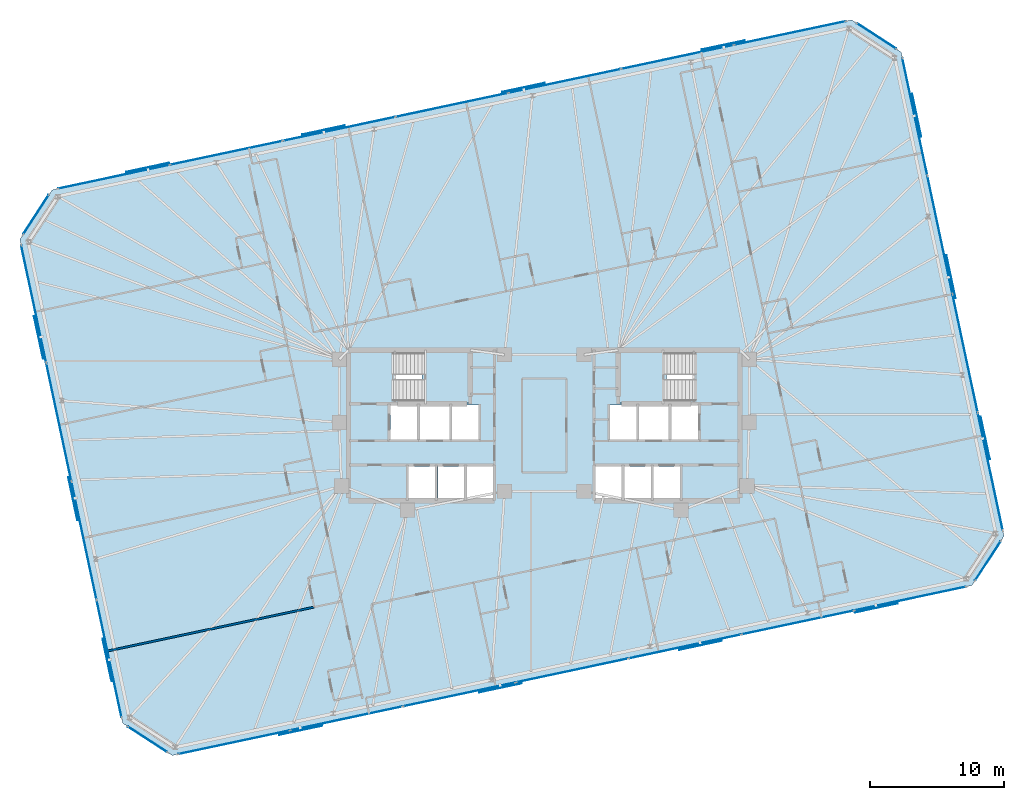
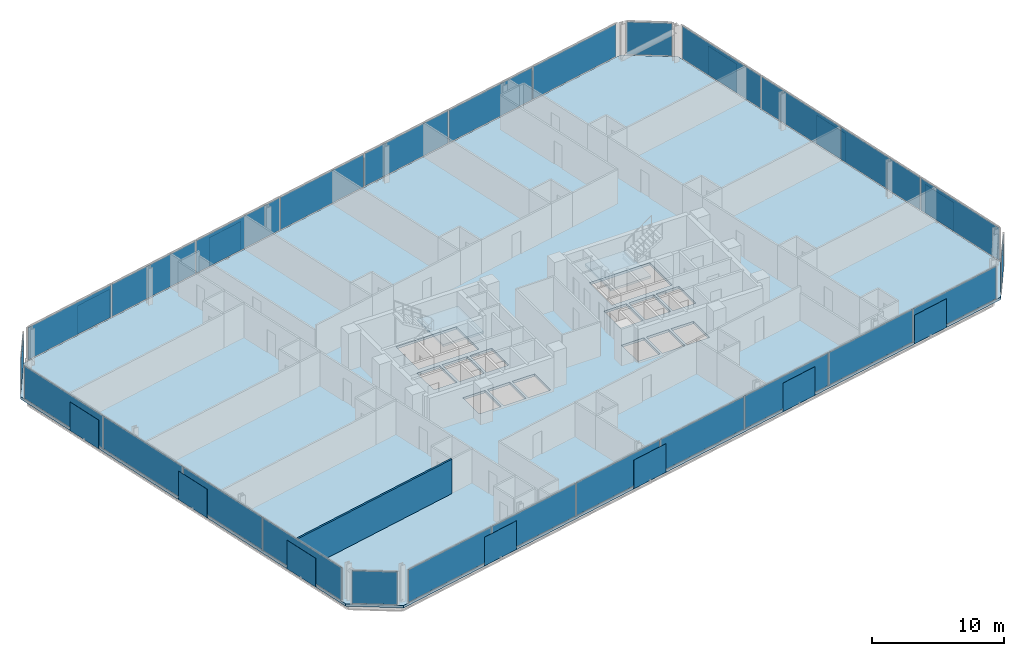
# One storey, part 13 of 19: 40 plates, 3 slabs, 1 wall, 10 elements without a shape of their own.
"""IFC4 building model written with IfcOpenShell, lengths in metres."""

from ifc_helpers import new_model, si_unit, direction, frame, frame_2d, origin, origin_2d, place, context, subcontext, project, spatial, polyline, rectangle, outline, extrude, material, layer, layer_set, type_object, element, aggregate, save


model = new_model("IFC4")

# Units and contexts
model_context = context("Model", 3, precision=1e-05, world=origin(), true_north=direction((0.0, 1.0)))
body_context = subcontext(model_context, "Body", "Model", "MODEL_VIEW")
ifc_project = project(units=[si_unit("LENGTHUNIT", "METRE"), si_unit("AREAUNIT", "SQUARE_METRE"), si_unit("VOLUMEUNIT", "CUBIC_METRE"), si_unit("PLANEANGLEUNIT", "RADIAN"), si_unit("MASSUNIT", "GRAM", prefix="KILO")], contexts=[model_context])

# Site, building, storey
site_placement = place(None, origin())
site = spatial("IfcSite", under=ifc_project, at=site_placement, CompositionType="ELEMENT")
building_placement = place(site_placement, origin())
building = spatial("IfcBuilding", under=site, at=building_placement, Name="Menara Jurai Vektor", CompositionType="ELEMENT")
storey_placement = place(building_placement, frame((0.0, 0.0, 161.60009765625)))
storey = spatial("IfcBuildingStorey", under=building, at=storey_placement, Name="L41", CompositionType="ELEMENT", Elevation=161.60009765625)

# Curtain wall, plates
ifc_material_1 = material(Name="Anodised Pale Aluminium & Low-E Double Glazing", Category="aluminium")
curtain_wall_type = type_object("IfcCurtainWallType", Name="CW-BLK3", PredefinedType="NOTDEFINED", material=ifc_material_1)
curtain_wall_1_placement = place(storey_placement, origin())
curtain_wall_1 = element("IfcCurtainWall", 1, at=curtain_wall_1_placement, inside=storey, type_object=curtain_wall_type, Name="Unitised Curtain Wall L41 F01", PredefinedType="NOTDEFINED")
ifc_material_2 = material(Name="Low-E Solar-Control Double Glazed Unit", Category="glass")
ifc_layer_1 = layer(ifc_material_2, 0.031982421875)
ifc_layer_set_1 = layer_set([ifc_layer_1], Name="Low-E Solar-Control Double Glazed Unit")
plate_type_1 = type_object("IfcPlateType", Name="CW-BLK3-PNL", PredefinedType="CURTAIN_PANEL", material=ifc_layer_set_1)
plate_1_placement = place(storey_placement, frame((-23.078369140625, -23.57568359375, 0.0849609375), z_axis=(0.0, 0.0, 1.0), x_axis=(0.978147674419, 0.207911344156, 0.0)))
plate_1 = element("IfcPlate", 2, at=plate_1_placement, type_object=plate_type_1, Name="CW-03 panel 1.1", PredefinedType="CURTAIN_PANEL", context=body_context, shape_type="SweptSolid", body=[
    extrude(rectangle(XDim=8.44970703125, YDim=0.031982421875, at=origin_2d()), origin(), (0.0, 0.0, 1.0), 3.0048828125),
])
plate_2_placement = place(storey_placement, frame((-14.709228515625, -21.796875, 0.0849609375), z_axis=(0.0, 0.0, 1.0), x_axis=(0.978147674419, 0.207911344156, 0.0)))
plate_2 = element("IfcPlate", 3, at=plate_2_placement, type_object=plate_type_1, Name="CW-03 panel 2.1", PredefinedType="CURTAIN_PANEL", context=body_context, shape_type="SweptSolid", body=[
    extrude(rectangle(XDim=8.4921875, YDim=0.031982421875, at=origin_2d()), origin(), (0.0, 0.0, 1.0), 3.0048828125),
])
plate_3_placement = place(storey_placement, frame((-6.319580078125, -20.013427734375, 0.0849609375), z_axis=(0.0, 0.0, 1.0), x_axis=(0.978147674419, 0.207911344156, 0.0)))
plate_3 = element("IfcPlate", 4, at=plate_3_placement, type_object=plate_type_1, Name="CW-03 panel 3.1", PredefinedType="CURTAIN_PANEL", context=body_context, shape_type="SweptSolid", body=[
    extrude(rectangle(XDim=8.4921875, YDim=0.031982421875, at=origin_2d()), origin(), (0.0, 0.0, 1.0), 3.0048828125),
])
plate_4_placement = place(storey_placement, frame((2.070068359375, -18.230224609375, 0.0849609375), z_axis=(0.0, 0.0, 1.0), x_axis=(0.978147674419, 0.207911344156, 0.0)))
plate_4 = element("IfcPlate", 5, at=plate_4_placement, type_object=plate_type_1, Name="CW-03 panel 4.1", PredefinedType="CURTAIN_PANEL", context=body_context, shape_type="SweptSolid", body=[
    extrude(rectangle(XDim=8.4921875, YDim=0.031982421875, at=origin_2d()), origin(), (0.0, 0.0, 1.0), 3.0048828125),
])
plate_5_placement = place(storey_placement, frame((10.459716796875, -16.447021484375, 0.0849609375), z_axis=(0.0, 0.0, 1.0), x_axis=(0.978147674419, 0.207911344156, 0.0)))
plate_5 = element("IfcPlate", 6, at=plate_5_placement, type_object=plate_type_1, Name="CW-03 panel 5.1", PredefinedType="CURTAIN_PANEL", context=body_context, shape_type="SweptSolid", body=[
    extrude(rectangle(XDim=8.4921875, YDim=0.031982421875, at=origin_2d()), origin(), (0.0, 0.0, 1.0), 3.0048828125),
])
plate_6_placement = place(storey_placement, frame((18.849609375, -14.66357421875, 0.0849609375), z_axis=(0.0, 0.0, 1.0), x_axis=(0.978147674419, 0.207911344156, 0.0)))
plate_6 = element("IfcPlate", 7, at=plate_6_placement, type_object=plate_type_1, Name="CW-03 panel 6.1", PredefinedType="CURTAIN_PANEL", context=body_context, shape_type="SweptSolid", body=[
    extrude(rectangle(XDim=8.4921875, YDim=0.031982421875, at=origin_2d()), origin(), (0.0, 0.0, 1.0), 3.0048828125),
])
plate_7_placement = place(storey_placement, frame((27.218505859375, -12.884765625, 0.0849609375), z_axis=(0.0, 0.0, 1.0), x_axis=(0.978147674419, 0.207911344156, 0.0)))
plate_7 = element("IfcPlate", 8, at=plate_7_placement, type_object=plate_type_1, Name="CW-03 panel 7.1", PredefinedType="CURTAIN_PANEL", context=body_context, shape_type="SweptSolid", body=[
    extrude(rectangle(XDim=8.44970703125, YDim=0.031982421875, at=origin_2d()), origin(), (0.0, 0.0, 1.0), 3.0048828125),
])
aggregate(curtain_wall_1, [plate_1, plate_2, plate_3, plate_4, plate_5, plate_6, plate_7])

curtain_wall_2_placement = place(storey_placement, origin())
curtain_wall_2 = element("IfcCurtainWall", 9, at=curtain_wall_2_placement, inside=storey, type_object=curtain_wall_type, Name="Unitised Curtain Wall L41 F03", PredefinedType="NOTDEFINED")
plate_8_placement = place(storey_placement, frame((33.17333984375, -3.433837890625, 0.0849609375), z_axis=(0.0, 0.0, 1.0), x_axis=(-0.20791035839, 0.978147883949, 0.0)))
plate_8 = element("IfcPlate", 10, at=plate_8_placement, type_object=plate_type_1, Name="CW-03 panel 1.1", PredefinedType="CURTAIN_PANEL", context=body_context, shape_type="SweptSolid", body=[
    extrude(rectangle(XDim=8.882568359375, YDim=0.031982421875, at=origin_2d()), origin(), (0.0, 0.0, 1.0), 3.0048828125),
])
plate_9_placement = place(storey_placement, frame((31.3046875, 5.3583984375, 0.0849609375), z_axis=(0.0, 0.0, 1.0), x_axis=(-0.20791035839, 0.978147883949, 0.0)))
plate_9 = element("IfcPlate", 11, at=plate_9_placement, type_object=plate_type_1, Name="CW-03 panel 2.1", PredefinedType="CURTAIN_PANEL", context=body_context, shape_type="SweptSolid", body=[
    extrude(rectangle(XDim=8.925048828125, YDim=0.031982421875, at=origin_2d()), origin(), (0.0, 0.0, 1.0), 3.0048828125),
])
plate_10_placement = place(storey_placement, frame((29.431396484375, 14.171630859375, 0.0849609375), z_axis=(0.0, 0.0, 1.0), x_axis=(-0.20791035839, 0.978147883949, 0.0)))
plate_10 = element("IfcPlate", 12, at=plate_10_placement, type_object=plate_type_1, Name="CW-03 panel 3.1", PredefinedType="CURTAIN_PANEL", context=body_context, shape_type="SweptSolid", body=[
    extrude(rectangle(XDim=8.925048828125, YDim=0.031982421875, at=origin_2d()), origin(), (0.0, 0.0, 1.0), 3.0048828125),
])
plate_11_placement = place(storey_placement, frame((27.5625, 22.9638671875, 0.0849609375), z_axis=(0.0, 0.0, 1.0), x_axis=(-0.20791035839, 0.978147883949, 0.0)))
plate_11 = element("IfcPlate", 13, at=plate_11_placement, type_object=plate_type_1, Name="CW-03 panel 4.1", PredefinedType="CURTAIN_PANEL", context=body_context, shape_type="SweptSolid", body=[
    extrude(rectangle(XDim=8.882568359375, YDim=0.031982421875, at=origin_2d()), origin(), (0.0, 0.0, 1.0), 3.0048828125),
])
aggregate(curtain_wall_2, [plate_8, plate_9, plate_10, plate_11])

curtain_wall_3_placement = place(storey_placement, origin())
curtain_wall_3 = element("IfcCurtainWall", 14, at=curtain_wall_3_placement, inside=storey, type_object=curtain_wall_type, Name="Unitised Curtain Wall L41 F05", PredefinedType="NOTDEFINED")
plate_12_placement = place(storey_placement, frame((18.2783203125, 29.175537109375, 0.0849609375), z_axis=(0.0, 0.0, 1.0), x_axis=(-0.978147674419, -0.207911344156, 0.0)))
plate_12 = element("IfcPlate", 15, at=plate_12_placement, type_object=plate_type_1, Name="CW-03 panel 1.1", PredefinedType="CURTAIN_PANEL", context=body_context, shape_type="SweptSolid", body=[
    extrude(rectangle(XDim=8.44970703125, YDim=0.031982421875, at=origin_2d()), origin(), (0.0, 0.0, 1.0), 3.0048828125),
])
plate_13_placement = place(storey_placement, frame((9.909423828125, 27.396728515625, 0.0849609375), z_axis=(0.0, 0.0, 1.0), x_axis=(-0.978147674419, -0.207911344156, 0.0)))
plate_13 = element("IfcPlate", 16, at=plate_13_placement, type_object=plate_type_1, Name="CW-03 panel 2.1", PredefinedType="CURTAIN_PANEL", context=body_context, shape_type="SweptSolid", body=[
    extrude(rectangle(XDim=8.4921875, YDim=0.031982421875, at=origin_2d()), origin(), (0.0, 0.0, 1.0), 3.0048828125),
])
plate_14_placement = place(storey_placement, frame((1.51953125, 25.613525390625, 0.0849609375), z_axis=(0.0, 0.0, 1.0), x_axis=(-0.978147674419, -0.207911344156, 0.0)))
plate_14 = element("IfcPlate", 17, at=plate_14_placement, type_object=plate_type_1, Name="CW-03 panel 3.1", PredefinedType="CURTAIN_PANEL", context=body_context, shape_type="SweptSolid", body=[
    extrude(rectangle(XDim=8.4921875, YDim=0.031982421875, at=origin_2d()), origin(), (0.0, 0.0, 1.0), 3.0048828125),
])
plate_15_placement = place(storey_placement, frame((-6.8701171875, 23.830078125, 0.0849609375), z_axis=(0.0, 0.0, 1.0), x_axis=(-0.978147674419, -0.207911344156, 0.0)))
plate_15 = element("IfcPlate", 18, at=plate_15_placement, type_object=plate_type_1, Name="CW-03 panel 4.1", PredefinedType="CURTAIN_PANEL", context=body_context, shape_type="SweptSolid", body=[
    extrude(rectangle(XDim=8.4921875, YDim=0.031982421875, at=origin_2d()), origin(), (0.0, 0.0, 1.0), 3.0048828125),
])
plate_16_placement = place(storey_placement, frame((-15.259765625, 22.046875, 0.0849609375), z_axis=(0.0, 0.0, 1.0), x_axis=(-0.978147674419, -0.207911344156, 0.0)))
plate_16 = element("IfcPlate", 19, at=plate_16_placement, type_object=plate_type_1, Name="CW-03 panel 5.1", PredefinedType="CURTAIN_PANEL", context=body_context, shape_type="SweptSolid", body=[
    extrude(rectangle(XDim=8.4921875, YDim=0.031982421875, at=origin_2d()), origin(), (0.0, 0.0, 1.0), 3.0048828125),
])
plate_17_placement = place(storey_placement, frame((-23.6494140625, 20.263671875, 0.0849609375), z_axis=(0.0, 0.0, 1.0), x_axis=(-0.978147674419, -0.207911344156, 0.0)))
plate_17 = element("IfcPlate", 20, at=plate_17_placement, type_object=plate_type_1, Name="CW-03 panel 6.1", PredefinedType="CURTAIN_PANEL", context=body_context, shape_type="SweptSolid", body=[
    extrude(rectangle(XDim=8.4921875, YDim=0.031982421875, at=origin_2d()), origin(), (0.0, 0.0, 1.0), 3.0048828125),
])
plate_18_placement = place(storey_placement, frame((-32.0185546875, 18.48486328125, 0.0849609375), z_axis=(0.0, 0.0, 1.0), x_axis=(-0.978147674419, -0.207911344156, 0.0)))
plate_18 = element("IfcPlate", 21, at=plate_18_placement, type_object=plate_type_1, Name="CW-03 panel 7.1", PredefinedType="CURTAIN_PANEL", context=body_context, shape_type="SweptSolid", body=[
    extrude(rectangle(XDim=8.44970703125, YDim=0.031982421875, at=origin_2d()), origin(), (0.0, 0.0, 1.0), 3.0048828125),
])
aggregate(curtain_wall_3, [plate_12, plate_13, plate_14, plate_15, plate_16, plate_17, plate_18])

curtain_wall_4_placement = place(storey_placement, origin())
curtain_wall_4 = element("IfcCurtainWall", 22, at=curtain_wall_4_placement, inside=storey, type_object=curtain_wall_type, Name="Unitised Curtain Wall L41 F07", PredefinedType="NOTDEFINED")
plate_19_placement = place(storey_placement, frame((-37.973388671875, 9.033935546875, 0.0849609375), z_axis=(0.0, 0.0, 1.0), x_axis=(0.20791035839, -0.978147883949, 0.0)))
plate_19 = element("IfcPlate", 23, at=plate_19_placement, type_object=plate_type_1, Name="CW-03 panel 1.1", PredefinedType="CURTAIN_PANEL", context=body_context, shape_type="SweptSolid", body=[
    extrude(rectangle(XDim=8.882568359375, YDim=0.031982421875, at=origin_2d()), origin(), (0.0, 0.0, 1.0), 3.0048828125),
])
plate_20_placement = place(storey_placement, frame((-36.1044921875, 0.241455078125, 0.0849609375), z_axis=(0.0, 0.0, 1.0), x_axis=(0.20791035839, -0.978147883949, 0.0)))
plate_20 = element("IfcPlate", 24, at=plate_20_placement, type_object=plate_type_1, Name="CW-03 panel 2.1", PredefinedType="CURTAIN_PANEL", context=body_context, shape_type="SweptSolid", body=[
    extrude(rectangle(XDim=8.925048828125, YDim=0.031982421875, at=origin_2d()), origin(), (0.0, 0.0, 1.0), 3.0048828125),
])
plate_21_placement = place(storey_placement, frame((-34.231201171875, -8.571533203125, 0.0849609375), z_axis=(0.0, 0.0, 1.0), x_axis=(0.20791035839, -0.978147883949, 0.0)))
plate_21 = element("IfcPlate", 25, at=plate_21_placement, type_object=plate_type_1, Name="CW-03 panel 3.1", PredefinedType="CURTAIN_PANEL", context=body_context, shape_type="SweptSolid", body=[
    extrude(rectangle(XDim=8.925048828125, YDim=0.031982421875, at=origin_2d()), origin(), (0.0, 0.0, 1.0), 3.0048828125),
])
plate_22_placement = place(storey_placement, frame((-32.362548828125, -17.364013671875, 0.0849609375), z_axis=(0.0, 0.0, 1.0), x_axis=(0.20791035839, -0.978147883949, 0.0)))
plate_22 = element("IfcPlate", 26, at=plate_22_placement, type_object=plate_type_1, Name="CW-03 panel 4.1", PredefinedType="CURTAIN_PANEL", context=body_context, shape_type="SweptSolid", body=[
    extrude(rectangle(XDim=8.882568359375, YDim=0.031982421875, at=origin_2d()), origin(), (0.0, 0.0, 1.0), 3.0048828125),
])
aggregate(curtain_wall_4, [plate_19, plate_20, plate_21, plate_22])

# Curtain wall, plate
curtain_wall_5_placement = place(storey_placement, origin())
curtain_wall_5 = element("IfcCurtainWall", 27, at=curtain_wall_5_placement, inside=storey, type_object=curtain_wall_type, Name="Unitised Curtain Wall L41 F02", PredefinedType="NOTDEFINED")
ifc_material_3 = material(Name="Insulated Pale Aluminium Spandrel Panel", Category="aluminium")
ifc_layer_2 = layer(ifc_material_3, 0.06005859375)
ifc_layer_set_2 = layer_set([ifc_layer_2], Name="Insulated Pale Aluminium Spandrel Panel")
plate_type_2 = type_object("IfcPlateType", Name="CW-PNL-SP", PredefinedType="CURTAIN_PANEL", material=ifc_layer_set_2)
plate_23_placement = place(storey_placement, frame((32.999755859375, -10.0712890625, 0.0849609375), z_axis=(0.0, 0.0, 1.0), x_axis=(0.544617794346, 0.838684361415, 0.0)))
plate_23 = element("IfcPlate", 28, at=plate_23_placement, type_object=plate_type_2, Name="CW-03 panel 1.1", PredefinedType="CURTAIN_PANEL", context=body_context, shape_type="SweptSolid", body=[
    extrude(rectangle(XDim=3.4541015625, YDim=0.06005859375, at=origin_2d()), origin(), (0.0, 0.0, 1.0), 3.0048828125),
])
aggregate(curtain_wall_5, [plate_23])

curtain_wall_6_placement = place(storey_placement, origin())
curtain_wall_6 = element("IfcCurtainWall", 29, at=curtain_wall_6_placement, inside=storey, type_object=curtain_wall_type, Name="Unitised Curtain Wall L41 F04", PredefinedType="NOTDEFINED")
plate_24_placement = place(storey_placement, frame((24.7041015625, 28.956787109375, 0.0849609375), z_axis=(0.0, 0.0, 1.0), x_axis=(-0.838684361415, 0.544617794346, 0.0)))
plate_24 = element("IfcPlate", 30, at=plate_24_placement, type_object=plate_type_2, Name="CW-03 panel 1.1", PredefinedType="CURTAIN_PANEL", context=body_context, shape_type="SweptSolid", body=[
    extrude(rectangle(XDim=3.4541015625, YDim=0.06005859375, at=origin_2d()), origin(), (0.0, 0.0, 1.0), 3.0048828125),
])
aggregate(curtain_wall_6, [plate_24])

curtain_wall_7_placement = place(storey_placement, origin())
curtain_wall_7 = element("IfcCurtainWall", 31, at=curtain_wall_7_placement, inside=storey, type_object=curtain_wall_type, Name="Unitised Curtain Wall L41 F06", PredefinedType="NOTDEFINED")
plate_25_placement = place(storey_placement, frame((-37.799560546875, 15.67138671875, 0.0849609375), z_axis=(0.0, 0.0, 1.0), x_axis=(-0.544617794346, -0.838684361415, 0.0)))
plate_25 = element("IfcPlate", 32, at=plate_25_placement, type_object=plate_type_2, Name="CW-03 panel 1.1", PredefinedType="CURTAIN_PANEL", context=body_context, shape_type="SweptSolid", body=[
    extrude(rectangle(XDim=3.4541015625, YDim=0.06005859375, at=origin_2d()), origin(), (0.0, 0.0, 1.0), 3.0048828125),
])
aggregate(curtain_wall_7, [plate_25])

curtain_wall_8_placement = place(storey_placement, origin())
curtain_wall_8 = element("IfcCurtainWall", 33, at=curtain_wall_8_placement, inside=storey, type_object=curtain_wall_type, Name="Unitised Curtain Wall L41 F08", PredefinedType="NOTDEFINED")
plate_26_placement = place(storey_placement, frame((-29.50390625, -23.35693359375, 0.0849609375), z_axis=(0.0, 0.0, 1.0), x_axis=(0.838684361415, -0.544617794346, 0.0)))
plate_26 = element("IfcPlate", 34, at=plate_26_placement, type_object=plate_type_2, Name="CW-03 panel 1.1", PredefinedType="CURTAIN_PANEL", context=body_context, shape_type="SweptSolid", body=[
    extrude(rectangle(XDim=3.4541015625, YDim=0.06005859375, at=origin_2d()), origin(), (0.0, 0.0, 1.0), 3.0048828125),
])
aggregate(curtain_wall_8, [plate_26])

# Plates
ifc_material_4 = material(Name="Anodised Pale Aluminium Perforated Screen", Category="aluminium")
ifc_layer_3 = layer(ifc_material_4, 0.02294921875)
ifc_layer_set_3 = layer_set([ifc_layer_3], Name="Anodised Pale Aluminium Perforated Screen")
plate_type_3 = type_object("IfcPlateType", Name="ENV-PLT-SCREEN-MID", PredefinedType="USERDEFINED", material=ifc_layer_set_3)
for number, where, z_axis, x_axis, name in (
    (35, (-18.116943359375, -22.6845703125, -0.050048828125), (0.0, 0.0, 1.0), (0.978147600734, 0.207911690818, 0.0), "Perforated Pale-Metal Solar Screen L41-S01"),
    (36, (-3.2490234375, -19.5244140625, -0.050048828125), (0.0, 0.0, 1.0), (0.978147600734, 0.207911690818, 0.0), "Perforated Pale-Metal Solar Screen L41-S02"),
    (37, (11.618896484375, -16.364013671875, -0.050048828125), (0.0, 0.0, 1.0), (0.978147600734, 0.207911690818, 0.0), "Perforated Pale-Metal Solar Screen L41-S03"),
    (38, (24.702392578125, -13.5830078125, -0.050048828125), (0.0, 0.0, 1.0), (0.978147600734, 0.207911690818, 0.0), "Perforated Pale-Metal Solar Screen L41-S04"),
    (39, (32.806884765625, -0.9404296875, -0.050048828125), (0.0, 0.0, 1.0), (-0.207911690818, 0.978147600734, 0.0), "Perforated Pale-Metal Solar Screen L41-S05"),
    (40, (30.256591796875, 11.05810546875, -0.050048828125), (0.0, 0.0, 1.0), (-0.207911690818, 0.978147600734, 0.0), "Perforated Pale-Metal Solar Screen L41-S06"),
    (41, (27.706298828125, 23.056884765625, -0.050048828125), (0.0, 0.0, 1.0), (-0.207911690818, 0.978147600734, 0.0), "Perforated Pale-Metal Solar Screen L41-S07"),
    (42, (13.31689453125, 28.28466796875, -0.050048828125), (0.0, 0.0, 1.0), (-0.978147600734, -0.207911690818, 0.0), "Perforated Pale-Metal Solar Screen L41-S08"),
    (43, (-1.55078125, 25.12451171875, -0.050048828125), (0.0, 0.0, 1.0), (-0.978147600734, -0.207911690818, 0.0), "Perforated Pale-Metal Solar Screen L41-S09"),
    (44, (-16.418701171875, 21.964111328125, -0.050048828125), (0.0, 0.0, 1.0), (-0.978147600734, -0.207911690818, 0.0), "Perforated Pale-Metal Solar Screen L41-S10"),
    (45, (-29.50244140625, 19.18310546875, -0.050048828125), (0.0, 0.0, 1.0), (-0.978147600734, -0.207911690818, 0.0), "Perforated Pale-Metal Solar Screen L41-S11"),
    (46, (-37.60693359375, 6.54052734375, -0.050048828125), (0.0, 0.0, 1.0), (0.207911690818, -0.978147600734, 0.0), "Perforated Pale-Metal Solar Screen L41-S12"),
    (47, (-35.056640625, -5.458251953125, -0.050048828125), (0.0, 0.0, 1.0), (0.207911690818, -0.978147600734, 0.0), "Perforated Pale-Metal Solar Screen L41-S13"),
    (48, (-32.50634765625, -17.456787109375, -0.050048828125), (0.0, 0.0, 1.0), (0.207911690818, -0.978147600734, 0.0), "Perforated Pale-Metal Solar Screen L41-S14"),
):
    element("IfcPlate", number, at=place(storey_placement, frame(where, z_axis=z_axis, x_axis=x_axis)), inside=storey, type_object=plate_type_3, Name=name, ObjectType="SCREEN", PredefinedType="USERDEFINED", context=body_context, shape_type="SweptSolid", body=[
        extrude(rectangle(XDim=3.25, YDim=0.02294921875, at=origin_2d()), origin(), (0.0, 0.0, 1.0), 2.64990234375),
    ])

# Stair, slab
ifc_material_5 = material(Name="Concrete C40/50", Category="concrete")
stair_type = type_object("IfcStairType", Name="STAIR-DOGLEG-1500", PredefinedType="HALF_TURN_STAIR", material=ifc_material_5)
stair_1_placement = place(storey_placement, origin())
stair_1 = element("IfcStair", 49, at=stair_1_placement, inside=storey, type_object=stair_type, Name="Protected Exit Stair ST1 L41", PredefinedType="HALF_TURN_STAIR")
ifc_layer_4 = layer(ifc_material_5, 0.199951171875)
ifc_layer_set_4 = layer_set([ifc_layer_4], Name="Concrete C40/50")
slab_type_1 = type_object("IfcSlabType", Name="STAIR-LANDING-200", PredefinedType="LANDING", material=ifc_layer_set_4)
slab_1_placement = place(storey_placement, frame((0.0, 0.0, 1.5)))
slab_1 = element("IfcSlab", 50, at=slab_1_placement, type_object=slab_type_1, Name="ST1 landing 1", PredefinedType="LANDING", context=body_context, shape_type="SweptSolid", body=[
    extrude(outline(polyline([(-9.080078125, 1.64990234375), (-5.550048828125, 1.64990234375), (-5.550048828125, 5.550048828125), (-9.080078125, 5.550048828125), (-9.080078125, 1.64990234375)])), origin(), (0.0, 0.0, 1.0), 0.199951171875),
])
aggregate(stair_1, [slab_1])

stair_2_placement = place(storey_placement, origin())
stair_2 = element("IfcStair", 51, at=stair_2_placement, inside=storey, type_object=stair_type, Name="Protected Exit Stair ST2 L41", PredefinedType="HALF_TURN_STAIR")
slab_2_placement = place(storey_placement, frame((0.0, 0.0, 1.5)))
slab_2 = element("IfcSlab", 52, at=slab_2_placement, type_object=slab_type_1, Name="ST2 landing 1", PredefinedType="LANDING", context=body_context, shape_type="SweptSolid", body=[
    extrude(outline(polyline([(5.550048828125, 1.64990234375), (9.080078125, 1.64990234375), (9.080078125, 5.550048828125), (5.550048828125, 5.550048828125), (5.550048828125, 1.64990234375)])), origin(), (0.0, 0.0, 1.0), 0.199951171875),
])
aggregate(stair_2, [slab_2])

# Slab
ifc_layer_5 = layer(ifc_material_5, 0.22509765625)
ifc_layer_set_5 = layer_set([ifc_layer_5], Name="Concrete C40/50")
slab_type_2 = type_object("IfcSlabType", Name="STR-SLAB-TYP200", PredefinedType="FLOOR", material=ifc_layer_set_5)
slab_3_placement = place(storey_placement, frame((0.0, 0.0, -0.22509765625)))
element("IfcSlab", 53, at=slab_3_placement, inside=storey, type_object=slab_type_2, Name="Composite Floor Slab L41", PredefinedType="FLOOR", context=body_context, shape_type="SweptSolid", body=[
    extrude(outline(polyline([(-27.66552734375, -24.55078125), (31.805908203125, -11.90966796875), (34.193603515625, -8.23291015625), (26.54248046875, 27.762939453125), (22.865478515625, 30.150634765625), (-36.605712890625, 17.509765625), (-38.993408203125, 13.8330078125), (-31.34228515625, -22.1630859375), (-27.66552734375, -24.55078125)]), holes=[polyline([(-11.10009765625, 1.89990234375), (-11.10009765625, 5.300048828125), (-5.800048828125, 5.300048828125), (-5.800048828125, 1.89990234375), (-11.10009765625, 1.89990234375)]), polyline([(5.800048828125, 1.89990234375), (5.800048828125, 5.300048828125), (11.10009765625, 5.300048828125), (11.10009765625, 1.89990234375), (5.800048828125, 1.89990234375)]), polyline([(-11.449951171875, -1.050048828125), (-11.449951171875, 1.5), (-9.449951171875, 1.5), (-9.449951171875, -1.050048828125), (-11.449951171875, -1.050048828125)]), polyline([(9.449951171875, -1.050048828125), (9.449951171875, 1.5), (11.449951171875, 1.5), (11.449951171875, -1.050048828125), (9.449951171875, -1.050048828125)]), polyline([(-5.760009765625, -5.5), (-5.760009765625, -3.050048828125), (-3.800048828125, -3.050048828125), (-3.800048828125, -5.5), (-5.760009765625, -5.5)]), polyline([(-6.85009765625, -1.050048828125), (-6.85009765625, 1.5), (-4.889892578125, 1.5), (-4.889892578125, -1.050048828125), (-6.85009765625, -1.050048828125)]), polyline([(3.800048828125, -5.5), (3.800048828125, -3.050048828125), (5.760009765625, -3.050048828125), (5.760009765625, -5.5), (3.800048828125, -5.5)]), polyline([(4.889892578125, -1.050048828125), (4.889892578125, 1.5), (6.85009765625, 1.5), (6.85009765625, -1.050048828125), (4.889892578125, -1.050048828125)]), polyline([(-10.080078125, -5.5), (-10.080078125, -3.050048828125), (-8.1201171875, -3.050048828125), (-8.1201171875, -5.5), (-10.080078125, -5.5)]), polyline([(-7.919921875, -5.5), (-7.919921875, -3.050048828125), (-5.9599609375, -3.050048828125), (-5.9599609375, -5.5), (-7.919921875, -5.5)]), polyline([(5.9599609375, -5.5), (5.9599609375, -3.050048828125), (7.919921875, -3.050048828125), (7.919921875, -5.5), (5.9599609375, -5.5)]), polyline([(8.1201171875, -5.5), (8.1201171875, -3.050048828125), (10.080078125, -3.050048828125), (10.080078125, -5.5), (8.1201171875, -5.5)]), polyline([(-9.25, -1.050048828125), (-9.25, 1.5), (-7.050048828125, 1.5), (-7.050048828125, -1.050048828125), (-9.25, -1.050048828125)]), polyline([(7.050048828125, -1.050048828125), (7.050048828125, 1.5), (9.25, 1.5), (9.25, -1.050048828125), (7.050048828125, -1.050048828125)])]), origin(), (0.0, 0.0, 1.0), 0.22509765625),
])

# Wall
ifc_material_6 = material(Name="Gypsum Fireboard Partition", Category="gypsum")
ifc_layer_6 = layer(ifc_material_6, 0.14990234375)
ifc_layer_set_6 = layer_set([ifc_layer_6], Name="Gypsum Fireboard Partition")
wall_type = type_object("IfcWallType", Name="INT-WALL-CORR-150", PredefinedType="PARTITIONING", material=ifc_layer_set_6)
wall_placement = place(storey_placement, frame((-32.48583984375, -16.783203125, 0.0), z_axis=(0.0, 0.0, 1.0), x_axis=(0.978146137903, 0.207918572776, 0.0)))
element("IfcWall", 54, at=wall_placement, inside=storey, type_object=wall_type, Name="Interior Wall IW-150 L41", PredefinedType="PARTITIONING", context=body_context, shape_type="SweptSolid", body=[
    extrude(rectangle(XDim=15.718017578125, YDim=0.14990234375, at=frame_2d((7.85888671875, 0.0))), origin(), (0.0, 0.0, 1.0), 3.1748046875),
])

save(model, "model.ifc")
